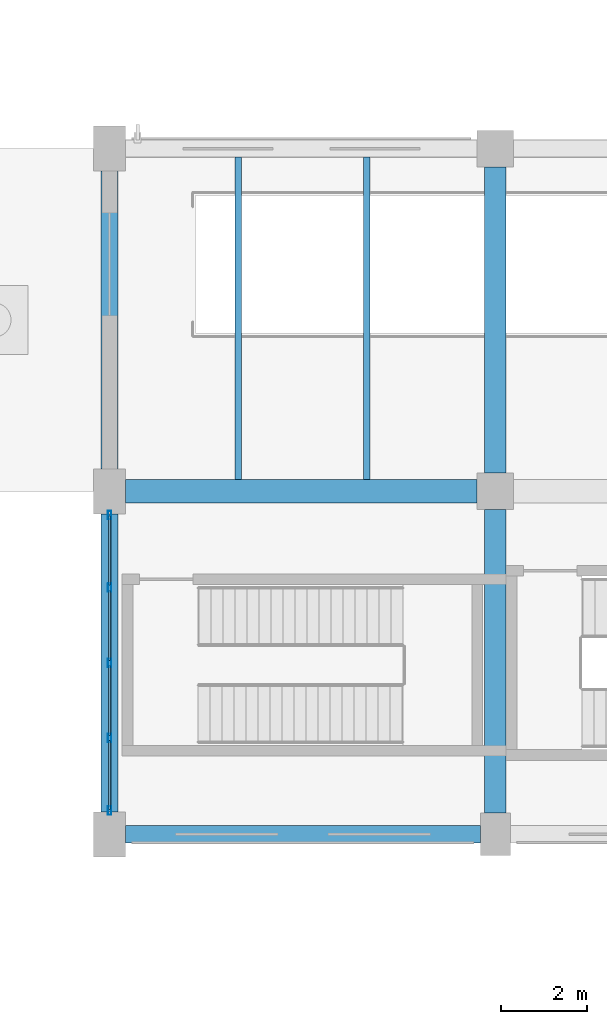
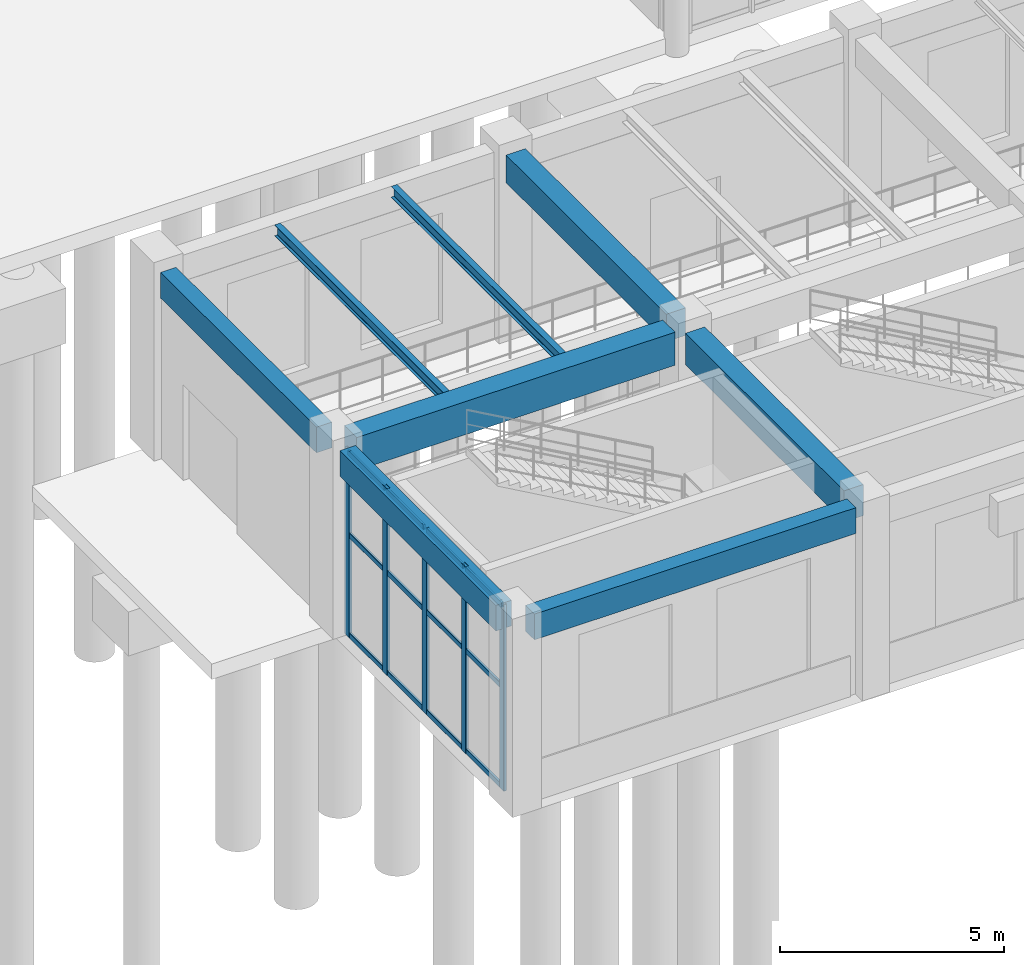
# One storey, part 16 of 121: 17 members, 8 beams, 1 element without a shape of its own.
"""IFC4 building model written with IfcOpenShell, lengths in metres."""

from ifc_helpers import new_model, si_unit, derived_unit, direction, frame, origin, origin_2d, place, context, subcontext, project, spatial, rectangle, hollow_rectangle, i_section, extrude, material, material_profile, profile_set, type_object, element, aggregate, save


model = new_model("IFC4")

# Units and contexts
model_context = context("Model", 3, precision=1e-05, world=origin(), true_north=direction((0.0, 1.0)))
body_context = subcontext(model_context, "Body", "Model", "MODEL_VIEW")
ifc_project = project(units=[si_unit("LENGTHUNIT", "METRE"), si_unit("AREAUNIT", "SQUARE_METRE"), si_unit("VOLUMEUNIT", "CUBIC_METRE"), si_unit("PLANEANGLEUNIT", "RADIAN"), si_unit("MASSUNIT", "GRAM", prefix="KILO"), derived_unit("THERMALTRANSMITTANCEUNIT", [(si_unit("MASSUNIT", "GRAM", prefix="KILO"), 1), (si_unit("TIMEUNIT", "SECOND"), -3), (si_unit("THERMODYNAMICTEMPERATUREUNIT", "KELVIN"), -1)])], contexts=[model_context])

# Site, building, storey
site_placement = place(None, origin())
site = spatial("IfcSite", under=ifc_project, at=site_placement, CompositionType="ELEMENT")
building_placement = place(site_placement, origin())
building = spatial("IfcBuilding", under=site, at=building_placement, Name="Zhenchuan Archway Interchange", CompositionType="ELEMENT")
storey_placement = place(building_placement, origin())
storey = spatial("IfcBuildingStorey", under=building, at=storey_placement, Name="L00", CompositionType="ELEMENT", Elevation=0.0)

# Beams
ifc_material_1 = material(Name="Concrete C40", Category="concrete")
ifc_material_profile_1 = material_profile(ifc_material_1, rectangle(XDim=0.5, YDim=0.75, at=origin_2d()), Name="RC 500x750")
ifc_profile_set_1 = profile_set([ifc_material_profile_1], Name="Concrete C40")
beam_type_1 = type_object("IfcBeamType", Name="BM_RC_500x750", PredefinedType="BEAM", material=ifc_profile_set_1)
beam_1_placement = place(storey_placement, frame((9.0, 8.425048828125, 4.705078125), z_axis=(0.0, 1.0, 0.0), x_axis=(-1.0, 0.0, 0.0)))
element("IfcBeam", 1, at=beam_1_placement, inside=storey, type_object=beam_type_1, Name="Beam 2:B-C (L00)", PredefinedType="BEAM", context=body_context, shape_type="SweptSolid", body=[
    extrude(rectangle(XDim=0.5, YDim=0.75, at=origin_2d()), origin(), (0.0, 0.0, 1.0), 7.14990234375),
])
ifc_material_profile_2 = material_profile(ifc_material_1, rectangle(XDim=0.5, YDim=0.85009765625, at=origin_2d()), Name="RC 500x850")
ifc_profile_set_2 = profile_set([ifc_material_profile_2], Name="Concrete C40")
beam_type_2 = type_object("IfcBeamType", Name="BM_RC_500x850", PredefinedType="BEAM", material=ifc_profile_set_2)
beam_2_placement = place(storey_placement, frame((9.0, 0.5, 4.655029296875), z_axis=(0.0, 1.0, 0.0), x_axis=(-1.0, 0.0, 0.0)))
element("IfcBeam", 2, at=beam_2_placement, inside=storey, type_object=beam_type_2, Name="Beam 2:A-B (L00)", PredefinedType="BEAM", context=body_context, shape_type="SweptSolid", body=[
    extrude(rectangle(XDim=0.5, YDim=0.85009765625, at=origin_2d()), origin(), (0.0, 0.0, 1.0), 7.074951171875),
])
ifc_material_profile_3 = material_profile(ifc_material_1, rectangle(XDim=0.550048828125, YDim=0.89990234375, at=origin_2d()), Name="RC 550x900")
ifc_profile_set_3 = profile_set([ifc_material_profile_3], Name="Concrete C40")
beam_type_3 = type_object("IfcBeamType", Name="BM_RC_550x900", PredefinedType="BEAM", material=ifc_profile_set_3)
beam_3_placement = place(storey_placement, frame((0.375, 8.0, 4.6298828125), z_axis=(1.0, 0.0, 0.0), x_axis=(0.0, 1.0, 0.0)))
element("IfcBeam", 3, at=beam_3_placement, inside=storey, type_object=beam_type_3, Name="Beam B:1-2 (L00)", PredefinedType="BEAM", context=body_context, shape_type="SweptSolid", body=[
    extrude(rectangle(XDim=0.550048828125, YDim=0.89990234375, at=origin_2d()), origin(), (0.0, 0.0, 1.0), 8.199951171875),
])

# Curtain wall, members
ifc_material_2 = material(Name="Anodised Aluminium", Category="aluminium")
curtain_wall_type = type_object("IfcCurtainWallType", Name="CW_UNIT_3", PredefinedType="NOTDEFINED", material=ifc_material_2)
curtain_wall_placement = place(storey_placement, origin())
curtain_wall = element("IfcCurtainWall", 4, at=curtain_wall_placement, inside=storey, type_object=curtain_wall_type, Name="Unitised curtain wall CW:L00:010", PredefinedType="NOTDEFINED")
ifc_material_profile_4 = material_profile(ifc_material_2, hollow_rectangle(XDim=0.080078125, YDim=0.199951171875, WallThickness=0.00439453125, InnerFilletRadius=0.00439453125, OuterFilletRadius=0.009033203125, at=origin_2d()), Name="ALU 200x80x4.5")
ifc_profile_set_4 = profile_set([ifc_material_profile_4], Name="Anodised Aluminium")
member_type_1 = type_object("IfcMemberType", Name="CW_MUL_200", PredefinedType="MULLION", material=ifc_profile_set_4)
member_1_placement = place(storey_placement, frame((0.0, 0.552978515625, 0.0), z_axis=(0.0, 0.0, 1.0), x_axis=(1.0, 0.0, 0.0)))
member_1 = element("IfcMember", 5, at=member_1_placement, type_object=member_type_1, Name="CW:L00:010 mullion 0", PredefinedType="MULLION", context=body_context, shape_type="SweptSolid", body=[
    extrude(hollow_rectangle(XDim=0.080078125, YDim=0.199951171875, WallThickness=0.00439453125, InnerFilletRadius=0.00439453125, OuterFilletRadius=0.009033203125, at=origin_2d()), origin(), (0.0, 0.0, 1.0), 5.080078125),
])
member_2_placement = place(storey_placement, frame((0.0, 2.24658203125, 0.0), z_axis=(0.0, 0.0, 1.0), x_axis=(1.0, 0.0, 0.0)))
member_2 = element("IfcMember", 6, at=member_2_placement, type_object=member_type_1, Name="CW:L00:010 mullion 1", PredefinedType="MULLION", context=body_context, shape_type="SweptSolid", body=[
    extrude(hollow_rectangle(XDim=0.080078125, YDim=0.199951171875, WallThickness=0.00439453125, InnerFilletRadius=0.00439453125, OuterFilletRadius=0.009033203125, at=origin_2d()), origin(), (0.0, 0.0, 1.0), 5.080078125),
])
member_3_placement = place(storey_placement, frame((0.0, 4.0, 0.0), z_axis=(0.0, 0.0, 1.0), x_axis=(1.0, 0.0, 0.0)))
member_3 = element("IfcMember", 7, at=member_3_placement, type_object=member_type_1, Name="CW:L00:010 mullion 2", PredefinedType="MULLION", context=body_context, shape_type="SweptSolid", body=[
    extrude(hollow_rectangle(XDim=0.080078125, YDim=0.199951171875, WallThickness=0.00439453125, InnerFilletRadius=0.00439453125, OuterFilletRadius=0.009033203125, at=origin_2d()), origin(), (0.0, 0.0, 1.0), 5.080078125),
])
member_4_placement = place(storey_placement, frame((0.0, 5.75341796875, 0.0), z_axis=(0.0, 0.0, 1.0), x_axis=(1.0, 0.0, 0.0)))
member_4 = element("IfcMember", 8, at=member_4_placement, type_object=member_type_1, Name="CW:L00:010 mullion 3", PredefinedType="MULLION", context=body_context, shape_type="SweptSolid", body=[
    extrude(hollow_rectangle(XDim=0.080078125, YDim=0.199951171875, WallThickness=0.00439453125, InnerFilletRadius=0.00439453125, OuterFilletRadius=0.009033203125, at=origin_2d()), origin(), (0.0, 0.0, 1.0), 5.080078125),
])
member_5_placement = place(storey_placement, frame((0.0, 7.447021484375, 0.0), z_axis=(0.0, 0.0, 1.0), x_axis=(1.0, 0.0, 0.0)))
member_5 = element("IfcMember", 9, at=member_5_placement, type_object=member_type_1, Name="CW:L00:010 mullion 4", PredefinedType="MULLION", context=body_context, shape_type="SweptSolid", body=[
    extrude(hollow_rectangle(XDim=0.080078125, YDim=0.199951171875, WallThickness=0.00439453125, InnerFilletRadius=0.00439453125, OuterFilletRadius=0.009033203125, at=origin_2d()), origin(), (0.0, 0.0, 1.0), 5.080078125),
])
ifc_material_profile_5 = material_profile(ifc_material_2, hollow_rectangle(XDim=0.06005859375, YDim=0.139892578125, WallThickness=0.00341796875, InnerFilletRadius=0.00341796875, OuterFilletRadius=0.007080078125, at=origin_2d()), Name="ALU 140x60x3.5")
ifc_profile_set_5 = profile_set([ifc_material_profile_5], Name="Anodised Aluminium")
member_type_2 = type_object("IfcMemberType", Name="CW_TRN_140", PredefinedType="USERDEFINED", material=ifc_profile_set_5)
member_6_placement = place(storey_placement, frame((0.0, 0.572998046875, 0.06005859375), z_axis=(0.0, 1.0, 0.0), x_axis=(-1.0, 0.0, 0.0)))
member_6 = element("IfcMember", 10, at=member_6_placement, type_object=member_type_2, Name="CW:L00:010 transom 0-1", ObjectType="TRANSOM", PredefinedType="USERDEFINED", context=body_context, shape_type="SweptSolid", body=[
    extrude(hollow_rectangle(XDim=0.06005859375, YDim=0.139892578125, WallThickness=0.00341796875, InnerFilletRadius=0.00341796875, OuterFilletRadius=0.007080078125, at=origin_2d()), origin(), (0.0, 0.0, 1.0), 1.613525390625),
])
member_7_placement = place(storey_placement, frame((0.0, 0.572998046875, 2.782958984375), z_axis=(0.0, 1.0, 0.0), x_axis=(-1.0, 0.0, 0.0)))
member_7 = element("IfcMember", 11, at=member_7_placement, type_object=member_type_2, Name="CW:L00:010 transom 0-2", ObjectType="TRANSOM", PredefinedType="USERDEFINED", context=body_context, shape_type="SweptSolid", body=[
    extrude(hollow_rectangle(XDim=0.06005859375, YDim=0.139892578125, WallThickness=0.00341796875, InnerFilletRadius=0.00341796875, OuterFilletRadius=0.007080078125, at=origin_2d()), origin(), (0.0, 0.0, 1.0), 1.613525390625),
])
member_8_placement = place(storey_placement, frame((0.0, 0.572998046875, 5.0), z_axis=(0.0, 1.0, 0.0), x_axis=(-1.0, 0.0, 0.0)))
member_8 = element("IfcMember", 12, at=member_8_placement, type_object=member_type_2, Name="CW:L00:010 transom 0-3", ObjectType="TRANSOM", PredefinedType="USERDEFINED", context=body_context, shape_type="SweptSolid", body=[
    extrude(hollow_rectangle(XDim=0.06005859375, YDim=0.139892578125, WallThickness=0.00341796875, InnerFilletRadius=0.00341796875, OuterFilletRadius=0.007080078125, at=origin_2d()), origin(), (0.0, 0.0, 1.0), 1.613525390625),
])
member_9_placement = place(storey_placement, frame((0.0, 2.306396484375, 0.06005859375), z_axis=(0.0, 1.0, 0.0), x_axis=(-1.0, 0.0, 0.0)))
member_9 = element("IfcMember", 13, at=member_9_placement, type_object=member_type_2, Name="CW:L00:010 transom 1-1", ObjectType="TRANSOM", PredefinedType="USERDEFINED", context=body_context, shape_type="SweptSolid", body=[
    extrude(hollow_rectangle(XDim=0.06005859375, YDim=0.139892578125, WallThickness=0.00341796875, InnerFilletRadius=0.00341796875, OuterFilletRadius=0.007080078125, at=origin_2d()), origin(), (0.0, 0.0, 1.0), 1.633544921875),
])
member_10_placement = place(storey_placement, frame((0.0, 2.306396484375, 2.782958984375), z_axis=(0.0, 1.0, 0.0), x_axis=(-1.0, 0.0, 0.0)))
member_10 = element("IfcMember", 14, at=member_10_placement, type_object=member_type_2, Name="CW:L00:010 transom 1-2", ObjectType="TRANSOM", PredefinedType="USERDEFINED", context=body_context, shape_type="SweptSolid", body=[
    extrude(hollow_rectangle(XDim=0.06005859375, YDim=0.139892578125, WallThickness=0.00341796875, InnerFilletRadius=0.00341796875, OuterFilletRadius=0.007080078125, at=origin_2d()), origin(), (0.0, 0.0, 1.0), 1.633544921875),
])
member_11_placement = place(storey_placement, frame((0.0, 2.306396484375, 5.0), z_axis=(0.0, 1.0, 0.0), x_axis=(-1.0, 0.0, 0.0)))
member_11 = element("IfcMember", 15, at=member_11_placement, type_object=member_type_2, Name="CW:L00:010 transom 1-3", ObjectType="TRANSOM", PredefinedType="USERDEFINED", context=body_context, shape_type="SweptSolid", body=[
    extrude(hollow_rectangle(XDim=0.06005859375, YDim=0.139892578125, WallThickness=0.00341796875, InnerFilletRadius=0.00341796875, OuterFilletRadius=0.007080078125, at=origin_2d()), origin(), (0.0, 0.0, 1.0), 1.633544921875),
])
member_12_placement = place(storey_placement, frame((0.0, 4.06005859375, 0.06005859375), z_axis=(0.0, 1.0, 0.0), x_axis=(-1.0, 0.0, 0.0)))
member_12 = element("IfcMember", 16, at=member_12_placement, type_object=member_type_2, Name="CW:L00:010 transom 2-1", ObjectType="TRANSOM", PredefinedType="USERDEFINED", context=body_context, shape_type="SweptSolid", body=[
    extrude(hollow_rectangle(XDim=0.06005859375, YDim=0.139892578125, WallThickness=0.00341796875, InnerFilletRadius=0.00341796875, OuterFilletRadius=0.007080078125, at=origin_2d()), origin(), (0.0, 0.0, 1.0), 1.633544921875),
])
member_13_placement = place(storey_placement, frame((0.0, 4.06005859375, 2.782958984375), z_axis=(0.0, 1.0, 0.0), x_axis=(-1.0, 0.0, 0.0)))
member_13 = element("IfcMember", 17, at=member_13_placement, type_object=member_type_2, Name="CW:L00:010 transom 2-2", ObjectType="TRANSOM", PredefinedType="USERDEFINED", context=body_context, shape_type="SweptSolid", body=[
    extrude(hollow_rectangle(XDim=0.06005859375, YDim=0.139892578125, WallThickness=0.00341796875, InnerFilletRadius=0.00341796875, OuterFilletRadius=0.007080078125, at=origin_2d()), origin(), (0.0, 0.0, 1.0), 1.633544921875),
])
member_14_placement = place(storey_placement, frame((0.0, 4.06005859375, 5.0), z_axis=(0.0, 1.0, 0.0), x_axis=(-1.0, 0.0, 0.0)))
member_14 = element("IfcMember", 18, at=member_14_placement, type_object=member_type_2, Name="CW:L00:010 transom 2-3", ObjectType="TRANSOM", PredefinedType="USERDEFINED", context=body_context, shape_type="SweptSolid", body=[
    extrude(hollow_rectangle(XDim=0.06005859375, YDim=0.139892578125, WallThickness=0.00341796875, InnerFilletRadius=0.00341796875, OuterFilletRadius=0.007080078125, at=origin_2d()), origin(), (0.0, 0.0, 1.0), 1.633544921875),
])
member_15_placement = place(storey_placement, frame((0.0, 5.8134765625, 0.06005859375), z_axis=(0.0, 1.0, 0.0), x_axis=(-1.0, 0.0, 0.0)))
member_15 = element("IfcMember", 19, at=member_15_placement, type_object=member_type_2, Name="CW:L00:010 transom 3-1", ObjectType="TRANSOM", PredefinedType="USERDEFINED", context=body_context, shape_type="SweptSolid", body=[
    extrude(hollow_rectangle(XDim=0.06005859375, YDim=0.139892578125, WallThickness=0.00341796875, InnerFilletRadius=0.00341796875, OuterFilletRadius=0.007080078125, at=origin_2d()), origin(), (0.0, 0.0, 1.0), 1.613525390625),
])
member_16_placement = place(storey_placement, frame((0.0, 5.8134765625, 2.782958984375), z_axis=(0.0, 1.0, 0.0), x_axis=(-1.0, 0.0, 0.0)))
member_16 = element("IfcMember", 20, at=member_16_placement, type_object=member_type_2, Name="CW:L00:010 transom 3-2", ObjectType="TRANSOM", PredefinedType="USERDEFINED", context=body_context, shape_type="SweptSolid", body=[
    extrude(hollow_rectangle(XDim=0.06005859375, YDim=0.139892578125, WallThickness=0.00341796875, InnerFilletRadius=0.00341796875, OuterFilletRadius=0.007080078125, at=origin_2d()), origin(), (0.0, 0.0, 1.0), 1.613525390625),
])
member_17_placement = place(storey_placement, frame((0.0, 5.8134765625, 5.0), z_axis=(0.0, 1.0, 0.0), x_axis=(-1.0, 0.0, 0.0)))
member_17 = element("IfcMember", 21, at=member_17_placement, type_object=member_type_2, Name="CW:L00:010 transom 3-3", ObjectType="TRANSOM", PredefinedType="USERDEFINED", context=body_context, shape_type="SweptSolid", body=[
    extrude(hollow_rectangle(XDim=0.06005859375, YDim=0.139892578125, WallThickness=0.00341796875, InnerFilletRadius=0.00341796875, OuterFilletRadius=0.007080078125, at=origin_2d()), origin(), (0.0, 0.0, 1.0), 1.613525390625),
])
aggregate(curtain_wall, [member_1, member_2, member_3, member_4, member_5, member_6, member_7, member_8, member_9, member_10, member_11, member_12, member_13, member_14, member_15, member_16, member_17])

# Beams
ifc_material_3 = material(Name="Steel Q355", Category="steel")
ifc_material_profile_6 = material_profile(ifc_material_3, i_section(OverallWidth=0.14990234375, OverallDepth=0.300048828125, WebThickness=0.006591796875, FlangeThickness=0.009033203125, FilletRadius=0.012939453125, at=origin_2d()), Name="HN 300x150")
ifc_profile_set_6 = profile_set([ifc_material_profile_6], Name="Steel Q355")
beam_type_4 = type_object("IfcBeamType", Name="JST_STL_HN300", PredefinedType="JOIST", material=ifc_profile_set_6)
for number, where, z_axis, x_axis, name in (
    (22, (3.0, 8.27490234375, 4.929931640625), (0.0, 1.0, 0.0), (-1.0, 0.0, 0.0), "Secondary joist 1-2/B-C #1 (L00)"),
    (23, (6.0, 8.27490234375, 4.929931640625), (0.0, 1.0, 0.0), (-1.0, 0.0, 0.0), "Secondary joist 1-2/B-C #2 (L00)"),
):
    element("IfcBeam", number, at=place(storey_placement, frame(where, z_axis=z_axis, x_axis=x_axis)), inside=storey, type_object=beam_type_4, Name=name, PredefinedType="JOIST", context=body_context, shape_type="SweptSolid", body=[
        extrude(i_section(OverallWidth=0.14990234375, OverallDepth=0.300048828125, WebThickness=0.006591796875, FlangeThickness=0.009033203125, FilletRadius=0.012939453125, at=origin_2d()), origin(), (0.0, 0.0, 1.0), 7.525146484375),
    ])
ifc_material_profile_7 = material_profile(ifc_material_1, rectangle(XDim=0.39990234375, YDim=0.699951171875, at=origin_2d()), Name="RC 400x700")
ifc_profile_set_7 = profile_set([ifc_material_profile_7], Name="Concrete C40")
beam_type_5 = type_object("IfcBeamType", Name="SP_RC_400x700", PredefinedType="SPANDREL", material=ifc_profile_set_7)
beam_4_placement = place(storey_placement, frame((0.375, 0.0, 4.72998046875), z_axis=(1.0, 0.0, 0.0), x_axis=(0.0, 1.0, 0.0)))
element("IfcBeam", 24, at=beam_4_placement, inside=storey, type_object=beam_type_5, Name="Beam A:1-2 (L00)", PredefinedType="SPANDREL", context=body_context, shape_type="SweptSolid", body=[
    extrude(rectangle(XDim=0.39990234375, YDim=0.699951171875, at=origin_2d()), origin(), (0.0, 0.0, 1.0), 8.27490234375),
])
for number, where, z_axis, x_axis, name in (
    (25, (0.0, 0.52490234375, 4.72998046875), (0.0, 1.0, 0.0), (-1.0, 0.0, 0.0), "Beam 1:A-B (L00)"),
    (26, (0.0, 8.52490234375, 4.72998046875), (0.0, 1.0, 0.0), (-1.0, 0.0, 0.0), "Beam 1:B-C (L00)"),
):
    element("IfcBeam", number, at=place(storey_placement, frame(where, z_axis=z_axis, x_axis=x_axis)), inside=storey, type_object=beam_type_5, Name=name, PredefinedType="SPANDREL", context=body_context, shape_type="SweptSolid", body=[
        extrude(rectangle(XDim=0.39990234375, YDim=0.699951171875, at=origin_2d()), origin(), (0.0, 0.0, 1.0), 6.9501953125),
    ])

save(model, "model.ifc")
